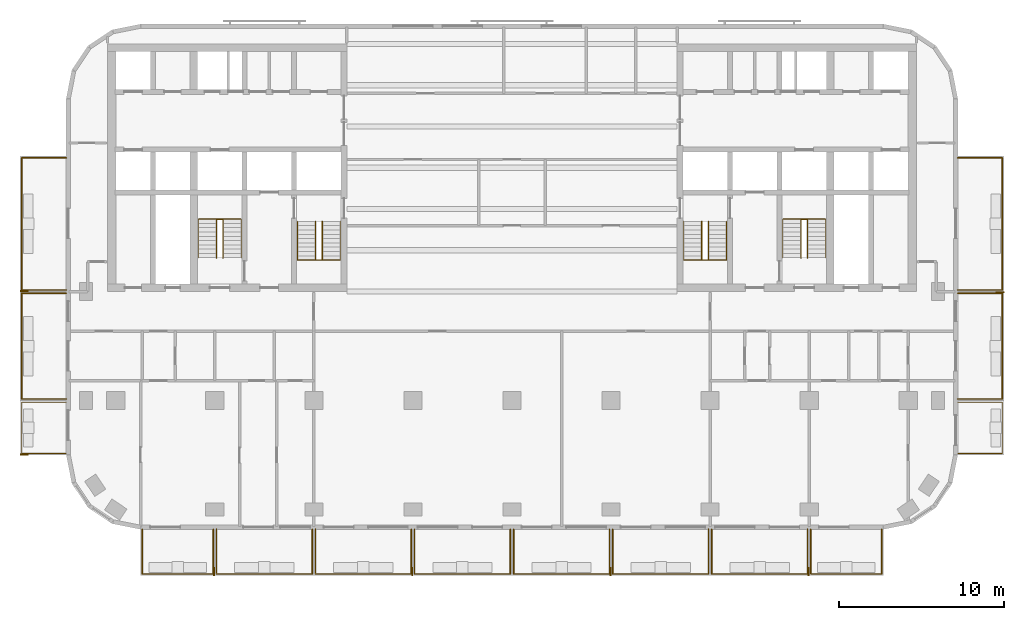
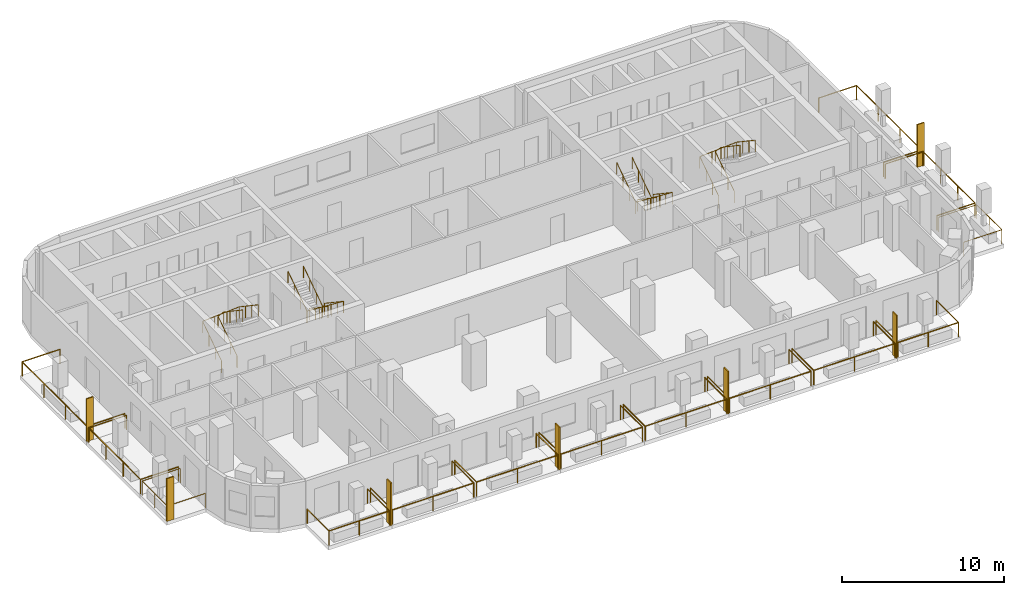
# One storey, part 9 of 11: 22 railings, 7 shading devices.
"""IFC4 building model written with IfcOpenShell, lengths in metres."""

import ifcopenshell
import ifcopenshell.guid

model = None  # the IFC model being written
_history = None  # IfcOwnerHistory: only IFC2X3 demands one
_inside = {}  # id of a spatial element -> (the spatial element, [elements in it])
_under = {}  # id of a project, library or spatial element -> (it, [spatial elements below it])
_declared = {}  # id of a project -> (the project, [libraries it declares])
_typed = {}  # id of a type object -> (the type object, [elements of that type])
_made_of = {}  # id of a material, layer set ... -> (it, [elements and type objects made of it])


def new_model(schema):
    """Start an empty IFC model of exactly this schema.

    Asked for "IFC4X3", IfcOpenShell would pick the latest addendum, in which some entities
    have other attributes; the version numbers below select the first issue.
    IFC2X3 requires an IfcOwnerHistory on every rooted entity: one is made here for all.
    """
    global model, _history
    if schema == "IFC4X3":
        model = ifcopenshell.file(schema_version=(4, 3, 0, 0))
    else:
        model = ifcopenshell.file(schema=schema)
    _inside.clear()
    _under.clear()
    _declared.clear()
    _typed.clear()
    _made_of.clear()
    _history = None
    if model.schema == "IFC2X3":
        org = make("IfcOrganization", Name="unknown")
        user = make(
            "IfcPersonAndOrganization",
            ThePerson=make("IfcPerson", FamilyName="unknown"),
            TheOrganization=org,
        )
        app = make(
            "IfcApplication",
            ApplicationDeveloper=org,
            Version="unknown",
            ApplicationFullName="unknown",
            ApplicationIdentifier="unknown",
        )
        _history = make(
            "IfcOwnerHistory",
            OwningUser=user,
            OwningApplication=app,
            ChangeAction="ADDED",
            CreationDate=0,
        )
    return model


def make(cls, **values):
    """One entity of the class cls with the attributes given. An attribute that is None is left unset."""
    return model.create_entity(
        cls, **{name: value for name, value in values.items() if value is not None}
    )


def rooted(cls, **values):
    """An entity with a GlobalId (a new one), such as an element, a storey or a relation."""
    return make(cls, GlobalId=ifcopenshell.guid.new(), OwnerHistory=_history, **values)


def si_unit(unit_type, name, prefix=None):
    """IfcSIUnit, for example si_unit("LENGTHUNIT", "METRE", prefix="MILLI")."""
    return make("IfcSIUnit", UnitType=unit_type, Prefix=prefix, Name=name)


def assignment(units):
    """IfcUnitAssignment: the units of a project."""
    return None if units is None else make("IfcUnitAssignment", Units=units)


def point(xyz):
    """IfcCartesianPoint."""
    return None if xyz is None else make("IfcCartesianPoint", Coordinates=xyz)


def direction(xyz):
    """IfcDirection."""
    return None if xyz is None else make("IfcDirection", DirectionRatios=xyz)


def frame(location, z_axis=None, x_axis=None):
    """IfcAxis2Placement3D, a coordinate frame: its origin and axes. An axis left out is left unset."""
    return make(
        "IfcAxis2Placement3D",
        Location=point(location),
        Axis=direction(z_axis),
        RefDirection=direction(x_axis),
    )


def frame_2d(location, x_axis=None):
    """IfcAxis2Placement2D, a coordinate frame in the plane: its origin and x axis."""
    return make(
        "IfcAxis2Placement2D", Location=point(location), RefDirection=direction(x_axis)
    )


def origin():
    """The frame at (0, 0, 0) with its axes left unset."""
    return frame((0.0, 0.0, 0.0))


def origin_2d():
    """The frame at (0, 0) in the plane with its x axis left unset."""
    return frame_2d((0.0, 0.0))


def place(relative_to, where):
    """IfcLocalPlacement: puts the frame where relative to a parent placement (None: the world)."""
    return make(
        "IfcLocalPlacement", PlacementRelTo=relative_to, RelativePlacement=where
    )


def context(
    kind, dimensions, precision=None, world=None, true_north=None, identifier=None
):
    """IfcGeometricRepresentationContext, for example the 3D "Model" context."""
    return make(
        "IfcGeometricRepresentationContext",
        ContextIdentifier=identifier,
        ContextType=kind,
        CoordinateSpaceDimension=dimensions,
        Precision=precision,
        WorldCoordinateSystem=world,
        TrueNorth=true_north,
    )


def subcontext(parent, identifier, kind, view, scale=None):
    """IfcGeometricRepresentationSubContext, for example "Body" below "Model"."""
    return make(
        "IfcGeometricRepresentationSubContext",
        ContextIdentifier=identifier,
        ContextType=kind,
        ParentContext=parent,
        TargetScale=scale,
        TargetView=view,
    )


def project(units=None, contexts=None):
    """IfcProject with its units and contexts."""
    return rooted(
        "IfcProject",
        Name="project",
        RepresentationContexts=contexts,
        UnitsInContext=assignment(units),
    )


def spatial(cls, under=None, at=None, **own):
    """A site, building, storey or space (cls), placed at a placement, below another one or the project."""
    s = rooted(cls, ObjectPlacement=at, **own)
    if under is not None:
        _under.setdefault(under.id(), (under, []))[1].append(s)
    return s


def profile(cls, at=None, kind="AREA", **sizes):
    """A parametric profile (cls). Its sizes go by their IFC names, for example OverallWidth=200.0."""
    return make(cls, ProfileType=kind, Position=at, **sizes)


def rectangle(**sizes):
    """IfcRectangleProfileDef."""
    return profile("IfcRectangleProfileDef", **sizes)


def circle(**sizes):
    """IfcCircleProfileDef."""
    return profile("IfcCircleProfileDef", **sizes)


def extrude(swept, where, along, depth):
    """IfcExtrudedAreaSolid: the profile swept, set in the frame where, extruded along a direction by depth."""
    return make(
        "IfcExtrudedAreaSolid",
        SweptArea=swept,
        Position=where,
        ExtrudedDirection=direction(along),
        Depth=depth,
    )


def shape(context_of_items, identifier, shape_type, items):
    """IfcShapeRepresentation: the items that make up one representation, for example the "Body"."""
    return make(
        "IfcShapeRepresentation",
        ContextOfItems=context_of_items,
        RepresentationIdentifier=identifier,
        RepresentationType=shape_type,
        Items=items,
    )


def material(Name=None, Category=None):
    """IfcMaterial."""
    return make("IfcMaterial", Name=Name, Category=Category)


def layer(
    of_material, thickness, ventilated=None, Name=None, Category=None, Priority=None
):
    """IfcMaterialLayer: one layer of a wall or slab, of a material (None: an air gap)."""
    return make(
        "IfcMaterialLayer",
        Material=of_material,
        LayerThickness=thickness,
        IsVentilated=ventilated,
        Name=Name,
        Category=Category,
        Priority=Priority,
    )


def layer_set(layers, Name=None):
    """IfcMaterialLayerSet."""
    return make("IfcMaterialLayerSet", MaterialLayers=layers, LayerSetName=Name)


def made_of(thing, what):
    """Note that an element or type object is made of a material, layer set ...; save() writes the relation."""
    if what is not None:
        _made_of.setdefault(what.id(), (what, []))[1].append(thing)
    return thing


def type_object(cls, material=None, **own):
    """A type object (cls), such as IfcWallType, which elements share."""
    return made_of(rooted(cls, **own), material)


def element(
    cls,
    number,
    at=None,
    inside=None,
    cuts=None,
    type_object=None,
    material=None,
    context=None,
    identifier="Body",
    shape_type=None,
    held_by="IfcProductDefinitionShape",
    body=None,
    shapes=None,
    **own,
):
    """One element of the class cls, such as IfcWall. Its Tag is "e" and its number.

    at: its placement. inside: the storey or other place that contains it. cuts: it is an
    opening in that element (IfcRelVoidsElement). A single representation is given by context,
    identifier, shape_type and body (its items); several are given by shapes. held_by: the class
    of the entity that holds the representations. save() writes the other relations.
    """
    e = rooted(cls, Tag="e%d" % number, ObjectPlacement=at, **own)
    if body is not None:
        shapes = [shape(context, identifier, shape_type, body)]
    if shapes is not None:
        e.Representation = make(held_by, Representations=shapes)
    if inside is not None:
        _inside.setdefault(inside.id(), (inside, []))[1].append(e)
    if cuts is not None:
        rooted(
            "IfcRelVoidsElement", RelatingBuildingElement=cuts, RelatedOpeningElement=e
        )
    if type_object is not None:
        _typed.setdefault(type_object.id(), (type_object, []))[1].append(e)
    return made_of(e, material)


def aggregate(whole, parts):
    """IfcRelAggregates: a whole, such as a stair, and the parts it consists of."""
    return rooted("IfcRelAggregates", RelatingObject=whole, RelatedObjects=parts)


def save(model, path):
    """Write the relations noted so far, then the file.

    IfcRelAggregates (storeys below a building ...), IfcRelContainedInSpatialStructure (elements
    in a storey), IfcRelDefinesByType, IfcRelAssociatesMaterial and IfcRelDeclares: one each for
    every whole, place, type object, material and project.
    """
    for whole, parts in _under.values():
        aggregate(whole, parts)
    for where, things in _inside.values():
        rooted(
            "IfcRelContainedInSpatialStructure",
            RelatedElements=things,
            RelatingStructure=where,
        )
    for kind, things in _typed.values():
        rooted("IfcRelDefinesByType", RelatedObjects=things, RelatingType=kind)
    for what, things in _made_of.values():
        rooted("IfcRelAssociatesMaterial", RelatedObjects=things, RelatingMaterial=what)
    for by, libraries in _declared.values():
        rooted("IfcRelDeclares", RelatingContext=by, RelatedDefinitions=libraries)
    model.write(path)


model = new_model("IFC4")

# Units and contexts
model_context = context("Model", 3, precision=1e-05, world=origin(), true_north=direction((0.0, 1.0)))
body_context = subcontext(model_context, "Body", "Model", "MODEL_VIEW")
ifc_project = project(units=[si_unit("LENGTHUNIT", "METRE"), si_unit("AREAUNIT", "SQUARE_METRE"), si_unit("VOLUMEUNIT", "CUBIC_METRE"), si_unit("PLANEANGLEUNIT", "RADIAN"), si_unit("MASSUNIT", "GRAM", prefix="KILO")], contexts=[model_context])

# Site, building, storey
site_placement = place(None, origin())
site = spatial("IfcSite", under=ifc_project, at=site_placement, CompositionType="ELEMENT")
building_placement = place(site_placement, origin())
building = spatial("IfcBuilding", under=site, at=building_placement, Name="Torana Hotel and Residences", CompositionType="ELEMENT")
storey_placement = place(building_placement, frame((0.0, 0.0, 208.10009765625)))
storey = spatial("IfcBuildingStorey", under=building, at=storey_placement, Name="L54", CompositionType="ELEMENT", Elevation=208.10009765625)

# Shading devices
ifc_material_1 = material(Name="Black powder coated aluminium", Category="aluminium")
ifc_layer = layer(ifc_material_1, 0.080078125)
ifc_layer_set = layer_set([ifc_layer], Name="FN1 VERTICAL FIN 500x80")
shading_device_type = type_object("IfcShadingDeviceType", Name="FN1 VERTICAL FIN 500x80", PredefinedType="USERDEFINED", material=ifc_layer_set)
for number, where, z_axis, x_axis, name in (
    (1, (-18.0400390625, -31.949951171875, 0.0), (0.0, 0.0, 1.0), (-1.0, 0.0, 0.0), "Fin 01"),
    (2, (-6.0400390625, -31.949951171875, 0.0), (0.0, 0.0, 1.0), (-1.0, 0.0, 0.0), "Fin 03"),
    (3, (5.9599609375, -31.949951171875, 0.0), (0.0, 0.0, 1.0), (-1.0, 0.0, 0.0), "Fin 05"),
    (4, (17.9599609375, -31.949951171875, 0.0), (0.0, 0.0, 1.0), (-1.0, 0.0, 0.0), "Fin 07"),
    (5, (-29.550048828125, -24.860107421875, 0.0), (0.0, 0.0, 1.0), (0.0, 1.0, 0.0), "Fin 09"),
    (6, (-29.550048828125, -14.9599609375, 0.0), (0.0, 0.0, 1.0), (0.0, 1.0, 0.0), "Fin 11"),
    (7, (29.550048828125, -15.0400390625, 0.0), (0.0, 0.0, 1.0), (0.0, -1.0, 0.0), "Fin 13"),
):
    element("IfcShadingDevice", number, at=place(storey_placement, frame(where, z_axis=z_axis, x_axis=x_axis)), inside=storey, type_object=shading_device_type, Name=name, ObjectType="FIN", PredefinedType="USERDEFINED", context=body_context, shape_type="SweptSolid", body=[
        extrude(rectangle(XDim=0.080078125, YDim=0.5, at=origin_2d()), origin(), (0.0, 0.0, 1.0), 3.219970703125),
    ])

# Railings
ifc_material_2 = material(Name="Laminated glass balustrade with black handrail", Category="glass")
railing_type_1 = type_object("IfcRailingType", Name="GR1 BALCONY GUARD 1100 GLASS", PredefinedType="GUARDRAIL", material=ifc_material_2)
railing_1_placement = place(storey_placement, frame((-18.10009765625, -29.39990234375, 0.0)))
element("IfcRailing", 8, at=railing_1_placement, inside=storey, type_object=railing_type_1, Name="Balcony guard 01", PredefinedType="GUARDRAIL", context=body_context, shape_type="SweptSolid", body=[
    extrude(circle(Radius=0.02392578125, at=origin_2d()), frame((0.0, 0.0, 1.076171875), z_axis=(0.0, -1.0, 0.0), x_axis=(1.0, 0.0, 0.0)), (0.0, 0.0, 1.0), 2.7001953125),
    extrude(circle(Radius=0.02392578125, at=origin_2d()), frame((0.0, -2.7001953125, 1.076171875), z_axis=(-1.0, 0.0, 0.0), x_axis=(0.0, -1.0, 0.0)), (0.0, 0.0, 1.0), 4.2998046875),
    extrude(circle(Radius=0.02392578125, at=origin_2d()), frame((-4.2998046875, -2.7001953125, 1.076171875), z_axis=(0.0, 1.0, 0.0), x_axis=(-1.0, 0.0, 0.0)), (0.0, 0.0, 1.0), 2.7001953125),
    extrude(circle(Radius=0.02099609375, at=origin_2d()), origin(), (0.0, 0.0, 1.0), 1.052001953125),
    extrude(circle(Radius=0.02099609375, at=origin_2d()), frame((0.0, -2.7001953125, 0.0)), (0.0, 0.0, 1.0), 1.052001953125),
    extrude(circle(Radius=0.02099609375, at=origin_2d()), frame((-2.14990234375, -2.7001953125, 0.0)), (0.0, 0.0, 1.0), 1.052001953125),
    extrude(circle(Radius=0.02099609375, at=origin_2d()), frame((-4.2998046875, -2.7001953125, 0.0)), (0.0, 0.0, 1.0), 1.052001953125),
    extrude(circle(Radius=0.02099609375, at=origin_2d()), frame((-4.2998046875, 0.0, 0.0)), (0.0, 0.0, 1.0), 1.052001953125),
])
for number, where, name in (
    (9, (-12.10009765625, -29.39990234375, 0.0), "Balcony guard 02"),
    (10, (-6.10009765625, -29.39990234375, 0.0), "Balcony guard 03"),
    (11, (-0.10009765625, -29.39990234375, 0.0), "Balcony guard 04"),
    (12, (5.89990234375, -29.39990234375, 0.0), "Balcony guard 05"),
    (13, (11.89990234375, -29.39990234375, 0.0), "Balcony guard 06"),
    (14, (17.89990234375, -29.39990234375, 0.0), "Balcony guard 07"),
):
    element("IfcRailing", number, at=place(storey_placement, frame(where)), inside=storey, type_object=railing_type_1, Name=name, PredefinedType="GUARDRAIL", context=body_context, shape_type="SweptSolid", body=[
        extrude(circle(Radius=0.02392578125, at=origin_2d()), frame((0.0, 0.0, 1.076171875), z_axis=(0.0, -1.0, 0.0), x_axis=(1.0, 0.0, 0.0)), (0.0, 0.0, 1.0), 2.7001953125),
        extrude(circle(Radius=0.02392578125, at=origin_2d()), frame((0.0, -2.7001953125, 1.076171875), z_axis=(-1.0, 0.0, 0.0), x_axis=(0.0, -1.0, 0.0)), (0.0, 0.0, 1.0), 5.7998046875),
        extrude(circle(Radius=0.02392578125, at=origin_2d()), frame((-5.7998046875, -2.7001953125, 1.076171875), z_axis=(0.0, 1.0, 0.0), x_axis=(-1.0, 0.0, 0.0)), (0.0, 0.0, 1.0), 2.7001953125),
        extrude(circle(Radius=0.02099609375, at=origin_2d()), origin(), (0.0, 0.0, 1.0), 1.052001953125),
        extrude(circle(Radius=0.02099609375, at=origin_2d()), frame((0.0, -2.7001953125, 0.0)), (0.0, 0.0, 1.0), 1.052001953125),
        extrude(circle(Radius=0.02099609375, at=origin_2d()), frame((-2.89990234375, -2.7001953125, 0.0)), (0.0, 0.0, 1.0), 1.052001953125),
        extrude(circle(Radius=0.02099609375, at=origin_2d()), frame((-5.7998046875, -2.7001953125, 0.0)), (0.0, 0.0, 1.0), 1.052001953125),
        extrude(circle(Radius=0.02099609375, at=origin_2d()), frame((-5.7998046875, 0.0, 0.0)), (0.0, 0.0, 1.0), 1.052001953125),
    ])
railing_2_placement = place(storey_placement, frame((22.39990234375, -29.39990234375, 0.0)))
element("IfcRailing", 15, at=railing_2_placement, inside=storey, type_object=railing_type_1, Name="Balcony guard 08", PredefinedType="GUARDRAIL", context=body_context, shape_type="SweptSolid", body=[
    extrude(circle(Radius=0.02392578125, at=origin_2d()), frame((0.0, 0.0, 1.076171875), z_axis=(0.0, -1.0, 0.0), x_axis=(1.0, 0.0, 0.0)), (0.0, 0.0, 1.0), 2.7001953125),
    extrude(circle(Radius=0.02392578125, at=origin_2d()), frame((0.0, -2.7001953125, 1.076171875), z_axis=(-1.0, 0.0, 0.0), x_axis=(0.0, -1.0, 0.0)), (0.0, 0.0, 1.0), 4.2998046875),
    extrude(circle(Radius=0.02392578125, at=origin_2d()), frame((-4.2998046875, -2.7001953125, 1.076171875), z_axis=(0.0, 1.0, 0.0), x_axis=(-1.0, 0.0, 0.0)), (0.0, 0.0, 1.0), 2.7001953125),
    extrude(circle(Radius=0.02099609375, at=origin_2d()), origin(), (0.0, 0.0, 1.0), 1.052001953125),
    extrude(circle(Radius=0.02099609375, at=origin_2d()), frame((0.0, -2.7001953125, 0.0)), (0.0, 0.0, 1.0), 1.052001953125),
    extrude(circle(Radius=0.02099609375, at=origin_2d()), frame((-2.14990234375, -2.7001953125, 0.0)), (0.0, 0.0, 1.0), 1.052001953125),
    extrude(circle(Radius=0.02099609375, at=origin_2d()), frame((-4.2998046875, -2.7001953125, 0.0)), (0.0, 0.0, 1.0), 1.052001953125),
    extrude(circle(Radius=0.02099609375, at=origin_2d()), frame((-4.2998046875, 0.0, 0.0)), (0.0, 0.0, 1.0), 1.052001953125),
])
railing_3_placement = place(storey_placement, frame((-27.0, -24.800048828125, 0.0)))
element("IfcRailing", 16, at=railing_3_placement, inside=storey, type_object=railing_type_1, Name="Balcony guard 09", PredefinedType="GUARDRAIL", context=body_context, shape_type="SweptSolid", body=[
    extrude(circle(Radius=0.02392578125, at=origin_2d()), frame((0.0, 0.0, 1.076171875), z_axis=(-1.0, 0.0, 0.0), x_axis=(0.0, -1.0, 0.0)), (0.0, 0.0, 1.0), 2.699951171875),
    extrude(circle(Radius=0.02392578125, at=origin_2d()), frame((-2.699951171875, 0.0, 1.076171875), z_axis=(0.0, 1.0, 0.0), x_axis=(-1.0, 0.0, 0.0)), (0.0, 0.0, 1.0), 3.10009765625),
    extrude(circle(Radius=0.02392578125, at=origin_2d()), frame((-2.699951171875, 3.10009765625, 1.076171875), z_axis=(1.0, 0.0, 0.0), x_axis=(0.0, 1.0, 0.0)), (0.0, 0.0, 1.0), 2.699951171875),
    extrude(circle(Radius=0.02099609375, at=origin_2d()), origin(), (0.0, 0.0, 1.0), 1.052001953125),
    extrude(circle(Radius=0.02099609375, at=origin_2d()), frame((-2.699951171875, 0.0, 0.0)), (0.0, 0.0, 1.0), 1.052001953125),
    extrude(circle(Radius=0.02099609375, at=origin_2d()), frame((-2.699951171875, 1.550048828125, 0.0)), (0.0, 0.0, 1.0), 1.052001953125),
    extrude(circle(Radius=0.02099609375, at=origin_2d()), frame((-2.699951171875, 3.10009765625, 0.0)), (0.0, 0.0, 1.0), 1.052001953125),
    extrude(circle(Radius=0.02099609375, at=origin_2d()), frame((0.0, 3.10009765625, 0.0)), (0.0, 0.0, 1.0), 1.052001953125),
])
railing_4_placement = place(storey_placement, frame((-27.0, -21.5, 0.0)))
element("IfcRailing", 17, at=railing_4_placement, inside=storey, type_object=railing_type_1, Name="Balcony guard 10", PredefinedType="GUARDRAIL", context=body_context, shape_type="SweptSolid", body=[
    extrude(circle(Radius=0.02392578125, at=origin_2d()), frame((0.0, 0.0, 1.076171875), z_axis=(-1.0, 0.0, 0.0), x_axis=(0.0, -1.0, 0.0)), (0.0, 0.0, 1.0), 2.699951171875),
    extrude(circle(Radius=0.02392578125, at=origin_2d()), frame((-2.699951171875, 0.0, 1.076171875), z_axis=(0.0, 1.0, 0.0), x_axis=(-1.0, 0.0, 0.0)), (0.0, 0.0, 1.0), 6.39990234375),
    extrude(circle(Radius=0.02392578125, at=origin_2d()), frame((-2.699951171875, 6.39990234375, 1.076171875), z_axis=(1.0, 0.0, 0.0), x_axis=(0.0, 1.0, 0.0)), (0.0, 0.0, 1.0), 2.699951171875),
    extrude(circle(Radius=0.02099609375, at=origin_2d()), origin(), (0.0, 0.0, 1.0), 1.052001953125),
    extrude(circle(Radius=0.02099609375, at=origin_2d()), frame((-2.699951171875, 0.0, 0.0)), (0.0, 0.0, 1.0), 1.052001953125),
    extrude(circle(Radius=0.02099609375, at=origin_2d()), frame((-2.699951171875, 2.13330078125, 0.0)), (0.0, 0.0, 1.0), 1.052001953125),
    extrude(circle(Radius=0.02099609375, at=origin_2d()), frame((-2.699951171875, 4.2666015625, 0.0)), (0.0, 0.0, 1.0), 1.052001953125),
    extrude(circle(Radius=0.02099609375, at=origin_2d()), frame((-2.699951171875, 6.39990234375, 0.0)), (0.0, 0.0, 1.0), 1.052001953125),
    extrude(circle(Radius=0.02099609375, at=origin_2d()), frame((0.0, 6.39990234375, 0.0)), (0.0, 0.0, 1.0), 1.052001953125),
])
railing_5_placement = place(storey_placement, frame((-27.0, -14.89990234375, 0.0)))
element("IfcRailing", 18, at=railing_5_placement, inside=storey, type_object=railing_type_1, Name="Balcony guard 11", PredefinedType="GUARDRAIL", context=body_context, shape_type="SweptSolid", body=[
    extrude(circle(Radius=0.02392578125, at=origin_2d()), frame((0.0, 0.0, 1.076171875), z_axis=(-1.0, 0.0, 0.0), x_axis=(0.0, -1.0, 0.0)), (0.0, 0.0, 1.0), 2.699951171875),
    extrude(circle(Radius=0.02392578125, at=origin_2d()), frame((-2.699951171875, 0.0, 1.076171875), z_axis=(0.0, 1.0, 0.0), x_axis=(-1.0, 0.0, 0.0)), (0.0, 0.0, 1.0), 8.0),
    extrude(circle(Radius=0.02392578125, at=origin_2d()), frame((-2.699951171875, 8.0, 1.076171875), z_axis=(1.0, 0.0, 0.0), x_axis=(0.0, 1.0, 0.0)), (0.0, 0.0, 1.0), 2.699951171875),
    extrude(circle(Radius=0.02099609375, at=origin_2d()), origin(), (0.0, 0.0, 1.0), 1.052001953125),
    extrude(circle(Radius=0.02099609375, at=origin_2d()), frame((-2.699951171875, 0.0, 0.0)), (0.0, 0.0, 1.0), 1.052001953125),
    extrude(circle(Radius=0.02099609375, at=origin_2d()), frame((-2.699951171875, 2.666748046875, 0.0)), (0.0, 0.0, 1.0), 1.052001953125),
    extrude(circle(Radius=0.02099609375, at=origin_2d()), frame((-2.699951171875, 5.333251953125, 0.0)), (0.0, 0.0, 1.0), 1.052001953125),
    extrude(circle(Radius=0.02099609375, at=origin_2d()), frame((-2.699951171875, 8.0, 0.0)), (0.0, 0.0, 1.0), 1.052001953125),
    extrude(circle(Radius=0.02099609375, at=origin_2d()), frame((0.0, 8.0, 0.0)), (0.0, 0.0, 1.0), 1.052001953125),
])
railing_6_placement = place(storey_placement, frame((27.0, -21.699951171875, 0.0)))
element("IfcRailing", 19, at=railing_6_placement, inside=storey, type_object=railing_type_1, Name="Balcony guard 12", PredefinedType="GUARDRAIL", context=body_context, shape_type="SweptSolid", body=[
    extrude(circle(Radius=0.02392578125, at=origin_2d()), frame((0.0, 0.0, 1.076171875), z_axis=(1.0, 0.0, 0.0), x_axis=(0.0, 1.0, 0.0)), (0.0, 0.0, 1.0), 2.699951171875),
    extrude(circle(Radius=0.02392578125, at=origin_2d()), frame((2.699951171875, 0.0, 1.076171875), z_axis=(0.0, -1.0, 0.0), x_axis=(1.0, 0.0, 0.0)), (0.0, 0.0, 1.0), 3.10009765625),
    extrude(circle(Radius=0.02392578125, at=origin_2d()), frame((2.699951171875, -3.10009765625, 1.076171875), z_axis=(-1.0, 0.0, 0.0), x_axis=(0.0, -1.0, 0.0)), (0.0, 0.0, 1.0), 2.699951171875),
    extrude(circle(Radius=0.02099609375, at=origin_2d()), origin(), (0.0, 0.0, 1.0), 1.052001953125),
    extrude(circle(Radius=0.02099609375, at=origin_2d()), frame((2.699951171875, 0.0, 0.0)), (0.0, 0.0, 1.0), 1.052001953125),
    extrude(circle(Radius=0.02099609375, at=origin_2d()), frame((2.699951171875, -1.550048828125, 0.0)), (0.0, 0.0, 1.0), 1.052001953125),
    extrude(circle(Radius=0.02099609375, at=origin_2d()), frame((2.699951171875, -3.10009765625, 0.0)), (0.0, 0.0, 1.0), 1.052001953125),
    extrude(circle(Radius=0.02099609375, at=origin_2d()), frame((0.0, -3.10009765625, 0.0)), (0.0, 0.0, 1.0), 1.052001953125),
])
railing_7_placement = place(storey_placement, frame((27.0, -15.10009765625, 0.0)))
element("IfcRailing", 20, at=railing_7_placement, inside=storey, type_object=railing_type_1, Name="Balcony guard 13", PredefinedType="GUARDRAIL", context=body_context, shape_type="SweptSolid", body=[
    extrude(circle(Radius=0.02392578125, at=origin_2d()), frame((0.0, 0.0, 1.076171875), z_axis=(1.0, 0.0, 0.0), x_axis=(0.0, 1.0, 0.0)), (0.0, 0.0, 1.0), 2.699951171875),
    extrude(circle(Radius=0.02392578125, at=origin_2d()), frame((2.699951171875, 0.0, 1.076171875), z_axis=(0.0, -1.0, 0.0), x_axis=(1.0, 0.0, 0.0)), (0.0, 0.0, 1.0), 6.39990234375),
    extrude(circle(Radius=0.02392578125, at=origin_2d()), frame((2.699951171875, -6.39990234375, 1.076171875), z_axis=(-1.0, 0.0, 0.0), x_axis=(0.0, -1.0, 0.0)), (0.0, 0.0, 1.0), 2.699951171875),
    extrude(circle(Radius=0.02099609375, at=origin_2d()), origin(), (0.0, 0.0, 1.0), 1.052001953125),
    extrude(circle(Radius=0.02099609375, at=origin_2d()), frame((2.699951171875, 0.0, 0.0)), (0.0, 0.0, 1.0), 1.052001953125),
    extrude(circle(Radius=0.02099609375, at=origin_2d()), frame((2.699951171875, -2.13330078125, 0.0)), (0.0, 0.0, 1.0), 1.052001953125),
    extrude(circle(Radius=0.02099609375, at=origin_2d()), frame((2.699951171875, -4.2666015625, 0.0)), (0.0, 0.0, 1.0), 1.052001953125),
    extrude(circle(Radius=0.02099609375, at=origin_2d()), frame((2.699951171875, -6.39990234375, 0.0)), (0.0, 0.0, 1.0), 1.052001953125),
    extrude(circle(Radius=0.02099609375, at=origin_2d()), frame((0.0, -6.39990234375, 0.0)), (0.0, 0.0, 1.0), 1.052001953125),
])
railing_8_placement = place(storey_placement, frame((27.0, -6.89990234375, 0.0)))
element("IfcRailing", 21, at=railing_8_placement, inside=storey, type_object=railing_type_1, Name="Balcony guard 14", PredefinedType="GUARDRAIL", context=body_context, shape_type="SweptSolid", body=[
    extrude(circle(Radius=0.02392578125, at=origin_2d()), frame((0.0, 0.0, 1.076171875), z_axis=(1.0, 0.0, 0.0), x_axis=(0.0, 1.0, 0.0)), (0.0, 0.0, 1.0), 2.699951171875),
    extrude(circle(Radius=0.02392578125, at=origin_2d()), frame((2.699951171875, 0.0, 1.076171875), z_axis=(0.0, -1.0, 0.0), x_axis=(1.0, 0.0, 0.0)), (0.0, 0.0, 1.0), 8.0),
    extrude(circle(Radius=0.02392578125, at=origin_2d()), frame((2.699951171875, -8.0, 1.076171875), z_axis=(-1.0, 0.0, 0.0), x_axis=(0.0, -1.0, 0.0)), (0.0, 0.0, 1.0), 2.699951171875),
    extrude(circle(Radius=0.02099609375, at=origin_2d()), origin(), (0.0, 0.0, 1.0), 1.052001953125),
    extrude(circle(Radius=0.02099609375, at=origin_2d()), frame((2.699951171875, 0.0, 0.0)), (0.0, 0.0, 1.0), 1.052001953125),
    extrude(circle(Radius=0.02099609375, at=origin_2d()), frame((2.699951171875, -2.666748046875, 0.0)), (0.0, 0.0, 1.0), 1.052001953125),
    extrude(circle(Radius=0.02099609375, at=origin_2d()), frame((2.699951171875, -5.333251953125, 0.0)), (0.0, 0.0, 1.0), 1.052001953125),
    extrude(circle(Radius=0.02099609375, at=origin_2d()), frame((2.699951171875, -8.0, 0.0)), (0.0, 0.0, 1.0), 1.052001953125),
    extrude(circle(Radius=0.02099609375, at=origin_2d()), frame((0.0, -8.0, 0.0)), (0.0, 0.0, 1.0), 1.052001953125),
])
ifc_material_3 = material(Name="Stainless steel 316", Category="steel")
railing_type_2 = type_object("IfcRailingType", Name="STAIR HANDRAIL HR1 900", PredefinedType="HANDRAIL", material=ifc_material_3)
railing_9_placement = place(storey_placement, frame((-10.39990234375, -10.75, 0.1748046875)))
element("IfcRailing", 22, at=railing_9_placement, inside=storey, type_object=railing_type_2, Name="Handrail ST1 L54 O1", PredefinedType="HANDRAIL", context=body_context, shape_type="SweptSolid", body=[
    extrude(circle(Radius=0.02392578125, at=origin_2d()), frame((0.0, 0.0, 0.8759765625), z_axis=(0.0, -0.829565388462, 0.558409586474), x_axis=(1.0, 0.0, 0.0)), (0.0, 0.0, 1.0), 2.82080078125),
    extrude(circle(Radius=0.02392578125, at=origin_2d()), frame((0.0, -2.340087890625, 2.451171875), z_axis=(-0.997747692642, 0.0, 0.067078624219), x_axis=(0.0, -1.0, 0.0)), (0.0, 0.0, 1.0), 2.60595703125),
    extrude(circle(Radius=0.02392578125, at=origin_2d()), frame((-2.60009765625, -2.340087890625, 2.6259765625), z_axis=(0.0, 0.829565388462, 0.558409586474), x_axis=(-1.0, 0.0, 0.0)), (0.0, 0.0, 1.0), 2.82080078125),
    extrude(circle(Radius=0.02099609375, at=origin_2d()), origin(), (0.0, 0.0, 1.0), 0.851806640625),
    extrude(circle(Radius=0.02099609375, at=origin_2d()), frame((0.0, -0.780029296875, 0.525146484375)), (0.0, 0.0, 1.0), 0.851806640625),
    extrude(circle(Radius=0.02099609375, at=origin_2d()), frame((0.0, -1.56005859375, 1.050048828125)), (0.0, 0.0, 1.0), 0.851806640625),
    extrude(circle(Radius=0.02099609375, at=origin_2d()), frame((0.0, -2.340087890625, 1.5751953125)), (0.0, 0.0, 1.0), 0.851806640625),
    extrude(circle(Radius=0.02099609375, at=origin_2d()), frame((-0.86669921875, -2.340087890625, 1.633544921875)), (0.0, 0.0, 1.0), 0.851806640625),
    extrude(circle(Radius=0.02099609375, at=origin_2d()), frame((-1.7333984375, -2.340087890625, 1.691650390625)), (0.0, 0.0, 1.0), 0.851806640625),
    extrude(circle(Radius=0.02099609375, at=origin_2d()), frame((-2.60009765625, -2.340087890625, 1.75)), (0.0, 0.0, 1.0), 0.851806640625),
    extrude(circle(Radius=0.02099609375, at=origin_2d()), frame((-2.60009765625, -1.56005859375, 2.275146484375)), (0.0, 0.0, 1.0), 0.851806640625),
    extrude(circle(Radius=0.02099609375, at=origin_2d()), frame((-2.60009765625, -0.780029296875, 2.800048828125)), (0.0, 0.0, 1.0), 0.851806640625),
    extrude(circle(Radius=0.02099609375, at=origin_2d()), frame((-2.60009765625, 0.0, 3.3251953125)), (0.0, 0.0, 1.0), 0.851806640625),
])
railing_10_placement = place(storey_placement, frame((-11.5, -10.75, 0.1748046875)))
element("IfcRailing", 23, at=railing_10_placement, inside=storey, type_object=railing_type_2, Name="Handrail ST1 L54 I1", PredefinedType="HANDRAIL", context=body_context, shape_type="SweptSolid", body=[
    extrude(circle(Radius=0.02392578125, at=origin_2d()), frame((0.0, 0.0, 0.8759765625), z_axis=(0.0, -0.829565388462, 0.558409586474), x_axis=(1.0, 0.0, 0.0)), (0.0, 0.0, 1.0), 2.82080078125),
    extrude(circle(Radius=0.02392578125, at=origin_2d()), frame((0.0, -2.340087890625, 2.451171875), z_axis=(-0.916285673175, 0.0, 0.400525361412), x_axis=(0.0, -1.0, 0.0)), (0.0, 0.0, 1.0), 0.4365234375),
    extrude(circle(Radius=0.02392578125, at=origin_2d()), frame((-0.39990234375, -2.340087890625, 2.6259765625), z_axis=(0.0, 0.829565388462, 0.558409586474), x_axis=(-1.0, 0.0, 0.0)), (0.0, 0.0, 1.0), 2.82080078125),
    extrude(circle(Radius=0.02099609375, at=origin_2d()), origin(), (0.0, 0.0, 1.0), 0.851806640625),
    extrude(circle(Radius=0.02099609375, at=origin_2d()), frame((0.0, -0.780029296875, 0.525146484375)), (0.0, 0.0, 1.0), 0.851806640625),
    extrude(circle(Radius=0.02099609375, at=origin_2d()), frame((0.0, -1.56005859375, 1.050048828125)), (0.0, 0.0, 1.0), 0.851806640625),
    extrude(circle(Radius=0.02099609375, at=origin_2d()), frame((0.0, -2.340087890625, 1.5751953125)), (0.0, 0.0, 1.0), 0.851806640625),
    extrude(circle(Radius=0.02099609375, at=origin_2d()), frame((-0.39990234375, -2.340087890625, 1.75)), (0.0, 0.0, 1.0), 0.851806640625),
    extrude(circle(Radius=0.02099609375, at=origin_2d()), frame((-0.39990234375, -1.56005859375, 2.275146484375)), (0.0, 0.0, 1.0), 0.851806640625),
    extrude(circle(Radius=0.02099609375, at=origin_2d()), frame((-0.39990234375, -0.780029296875, 2.800048828125)), (0.0, 0.0, 1.0), 0.851806640625),
    extrude(circle(Radius=0.02099609375, at=origin_2d()), frame((-0.39990234375, 0.0, 3.3251953125)), (0.0, 0.0, 1.0), 0.851806640625),
])
railing_11_placement = place(storey_placement, frame((-19.0, -12.949951171875, 0.1748046875)))
element("IfcRailing", 24, at=railing_11_placement, inside=storey, type_object=railing_type_2, Name="Handrail ST2 L54 O1", PredefinedType="HANDRAIL", context=body_context, shape_type="SweptSolid", body=[
    extrude(circle(Radius=0.02392578125, at=origin_2d()), frame((0.0, 0.0, 0.8759765625), z_axis=(0.0, 0.829538397957, 0.558449681095), x_axis=(-1.0, 0.0, 0.0)), (0.0, 0.0, 1.0), 2.820556640625),
    extrude(circle(Radius=0.02392578125, at=origin_2d()), frame((0.0, 2.33984375, 2.451171875), z_axis=(0.997747692642, 0.0, 0.067078624219), x_axis=(0.0, 1.0, 0.0)), (0.0, 0.0, 1.0), 2.60595703125),
    extrude(circle(Radius=0.02392578125, at=origin_2d()), frame((2.60009765625, 2.33984375, 2.6259765625), z_axis=(0.0, -0.829538397957, 0.558449681095), x_axis=(1.0, 0.0, 0.0)), (0.0, 0.0, 1.0), 2.820556640625),
    extrude(circle(Radius=0.02099609375, at=origin_2d()), origin(), (0.0, 0.0, 1.0), 0.851806640625),
    extrude(circle(Radius=0.02099609375, at=origin_2d()), frame((0.0, 0.780029296875, 0.525146484375)), (0.0, 0.0, 1.0), 0.851806640625),
    extrude(circle(Radius=0.02099609375, at=origin_2d()), frame((0.0, 1.559814453125, 1.050048828125)), (0.0, 0.0, 1.0), 0.851806640625),
    extrude(circle(Radius=0.02099609375, at=origin_2d()), frame((0.0, 2.33984375, 1.5751953125)), (0.0, 0.0, 1.0), 0.851806640625),
    extrude(circle(Radius=0.02099609375, at=origin_2d()), frame((0.86669921875, 2.33984375, 1.633544921875)), (0.0, 0.0, 1.0), 0.851806640625),
    extrude(circle(Radius=0.02099609375, at=origin_2d()), frame((1.7333984375, 2.33984375, 1.691650390625)), (0.0, 0.0, 1.0), 0.851806640625),
    extrude(circle(Radius=0.02099609375, at=origin_2d()), frame((2.60009765625, 2.33984375, 1.75)), (0.0, 0.0, 1.0), 0.851806640625),
    extrude(circle(Radius=0.02099609375, at=origin_2d()), frame((2.60009765625, 1.559814453125, 2.275146484375)), (0.0, 0.0, 1.0), 0.851806640625),
    extrude(circle(Radius=0.02099609375, at=origin_2d()), frame((2.60009765625, 0.780029296875, 2.800048828125)), (0.0, 0.0, 1.0), 0.851806640625),
    extrude(circle(Radius=0.02099609375, at=origin_2d()), frame((2.60009765625, 0.0, 3.3251953125)), (0.0, 0.0, 1.0), 0.851806640625),
])
railing_12_placement = place(storey_placement, frame((-17.89990234375, -12.949951171875, 0.1748046875)))
element("IfcRailing", 25, at=railing_12_placement, inside=storey, type_object=railing_type_2, Name="Handrail ST2 L54 I1", PredefinedType="HANDRAIL", context=body_context, shape_type="SweptSolid", body=[
    extrude(circle(Radius=0.02392578125, at=origin_2d()), frame((0.0, 0.0, 0.8759765625), z_axis=(0.0, 0.829538397957, 0.558449681095), x_axis=(-1.0, 0.0, 0.0)), (0.0, 0.0, 1.0), 2.820556640625),
    extrude(circle(Radius=0.02392578125, at=origin_2d()), frame((0.0, 2.33984375, 2.451171875), z_axis=(0.916285673175, 0.0, 0.400525361412), x_axis=(0.0, 1.0, 0.0)), (0.0, 0.0, 1.0), 0.4365234375),
    extrude(circle(Radius=0.02392578125, at=origin_2d()), frame((0.39990234375, 2.33984375, 2.6259765625), z_axis=(0.0, -0.829538397957, 0.558449681095), x_axis=(1.0, 0.0, 0.0)), (0.0, 0.0, 1.0), 2.820556640625),
    extrude(circle(Radius=0.02099609375, at=origin_2d()), origin(), (0.0, 0.0, 1.0), 0.851806640625),
    extrude(circle(Radius=0.02099609375, at=origin_2d()), frame((0.0, 0.780029296875, 0.525146484375)), (0.0, 0.0, 1.0), 0.851806640625),
    extrude(circle(Radius=0.02099609375, at=origin_2d()), frame((0.0, 1.559814453125, 1.050048828125)), (0.0, 0.0, 1.0), 0.851806640625),
    extrude(circle(Radius=0.02099609375, at=origin_2d()), frame((0.0, 2.33984375, 1.5751953125)), (0.0, 0.0, 1.0), 0.851806640625),
    extrude(circle(Radius=0.02099609375, at=origin_2d()), frame((0.39990234375, 2.33984375, 1.75)), (0.0, 0.0, 1.0), 0.851806640625),
    extrude(circle(Radius=0.02099609375, at=origin_2d()), frame((0.39990234375, 1.559814453125, 2.275146484375)), (0.0, 0.0, 1.0), 0.851806640625),
    extrude(circle(Radius=0.02099609375, at=origin_2d()), frame((0.39990234375, 0.780029296875, 2.800048828125)), (0.0, 0.0, 1.0), 0.851806640625),
    extrude(circle(Radius=0.02099609375, at=origin_2d()), frame((0.39990234375, 0.0, 3.3251953125)), (0.0, 0.0, 1.0), 0.851806640625),
])
railing_13_placement = place(storey_placement, frame((13.0, -10.75, 0.1748046875)))
element("IfcRailing", 26, at=railing_13_placement, inside=storey, type_object=railing_type_2, Name="Handrail ST3 L54 O1", PredefinedType="HANDRAIL", context=body_context, shape_type="SweptSolid", body=[
    extrude(circle(Radius=0.02392578125, at=origin_2d()), frame((0.0, 0.0, 0.8759765625), z_axis=(0.0, -0.829565388462, 0.558409586474), x_axis=(1.0, 0.0, 0.0)), (0.0, 0.0, 1.0), 2.82080078125),
    extrude(circle(Radius=0.02392578125, at=origin_2d()), frame((0.0, -2.340087890625, 2.451171875), z_axis=(-0.997747692642, 0.0, 0.067078624219), x_axis=(0.0, -1.0, 0.0)), (0.0, 0.0, 1.0), 2.60595703125),
    extrude(circle(Radius=0.02392578125, at=origin_2d()), frame((-2.60009765625, -2.340087890625, 2.6259765625), z_axis=(0.0, 0.829565388462, 0.558409586474), x_axis=(-1.0, 0.0, 0.0)), (0.0, 0.0, 1.0), 2.82080078125),
    extrude(circle(Radius=0.02099609375, at=origin_2d()), origin(), (0.0, 0.0, 1.0), 0.851806640625),
    extrude(circle(Radius=0.02099609375, at=origin_2d()), frame((0.0, -0.780029296875, 0.525146484375)), (0.0, 0.0, 1.0), 0.851806640625),
    extrude(circle(Radius=0.02099609375, at=origin_2d()), frame((0.0, -1.56005859375, 1.050048828125)), (0.0, 0.0, 1.0), 0.851806640625),
    extrude(circle(Radius=0.02099609375, at=origin_2d()), frame((0.0, -2.340087890625, 1.5751953125)), (0.0, 0.0, 1.0), 0.851806640625),
    extrude(circle(Radius=0.02099609375, at=origin_2d()), frame((-0.86669921875, -2.340087890625, 1.633544921875)), (0.0, 0.0, 1.0), 0.851806640625),
    extrude(circle(Radius=0.02099609375, at=origin_2d()), frame((-1.7333984375, -2.340087890625, 1.691650390625)), (0.0, 0.0, 1.0), 0.851806640625),
    extrude(circle(Radius=0.02099609375, at=origin_2d()), frame((-2.60009765625, -2.340087890625, 1.75)), (0.0, 0.0, 1.0), 0.851806640625),
    extrude(circle(Radius=0.02099609375, at=origin_2d()), frame((-2.60009765625, -1.56005859375, 2.275146484375)), (0.0, 0.0, 1.0), 0.851806640625),
    extrude(circle(Radius=0.02099609375, at=origin_2d()), frame((-2.60009765625, -0.780029296875, 2.800048828125)), (0.0, 0.0, 1.0), 0.851806640625),
    extrude(circle(Radius=0.02099609375, at=origin_2d()), frame((-2.60009765625, 0.0, 3.3251953125)), (0.0, 0.0, 1.0), 0.851806640625),
])
railing_14_placement = place(storey_placement, frame((11.89990234375, -10.75, 0.1748046875)))
element("IfcRailing", 27, at=railing_14_placement, inside=storey, type_object=railing_type_2, Name="Handrail ST3 L54 I1", PredefinedType="HANDRAIL", context=body_context, shape_type="SweptSolid", body=[
    extrude(circle(Radius=0.02392578125, at=origin_2d()), frame((0.0, 0.0, 0.8759765625), z_axis=(0.0, -0.829565388462, 0.558409586474), x_axis=(1.0, 0.0, 0.0)), (0.0, 0.0, 1.0), 2.82080078125),
    extrude(circle(Radius=0.02392578125, at=origin_2d()), frame((0.0, -2.340087890625, 2.451171875), z_axis=(-0.916285673175, 0.0, 0.400525361412), x_axis=(0.0, -1.0, 0.0)), (0.0, 0.0, 1.0), 0.4365234375),
    extrude(circle(Radius=0.02392578125, at=origin_2d()), frame((-0.39990234375, -2.340087890625, 2.6259765625), z_axis=(0.0, 0.829565388462, 0.558409586474), x_axis=(-1.0, 0.0, 0.0)), (0.0, 0.0, 1.0), 2.82080078125),
    extrude(circle(Radius=0.02099609375, at=origin_2d()), origin(), (0.0, 0.0, 1.0), 0.851806640625),
    extrude(circle(Radius=0.02099609375, at=origin_2d()), frame((0.0, -0.780029296875, 0.525146484375)), (0.0, 0.0, 1.0), 0.851806640625),
    extrude(circle(Radius=0.02099609375, at=origin_2d()), frame((0.0, -1.56005859375, 1.050048828125)), (0.0, 0.0, 1.0), 0.851806640625),
    extrude(circle(Radius=0.02099609375, at=origin_2d()), frame((0.0, -2.340087890625, 1.5751953125)), (0.0, 0.0, 1.0), 0.851806640625),
    extrude(circle(Radius=0.02099609375, at=origin_2d()), frame((-0.39990234375, -2.340087890625, 1.75)), (0.0, 0.0, 1.0), 0.851806640625),
    extrude(circle(Radius=0.02099609375, at=origin_2d()), frame((-0.39990234375, -1.56005859375, 2.275146484375)), (0.0, 0.0, 1.0), 0.851806640625),
    extrude(circle(Radius=0.02099609375, at=origin_2d()), frame((-0.39990234375, -0.780029296875, 2.800048828125)), (0.0, 0.0, 1.0), 0.851806640625),
    extrude(circle(Radius=0.02099609375, at=origin_2d()), frame((-0.39990234375, 0.0, 3.3251953125)), (0.0, 0.0, 1.0), 0.851806640625),
])
railing_15_placement = place(storey_placement, frame((16.39990234375, -12.949951171875, 0.1748046875)))
element("IfcRailing", 28, at=railing_15_placement, inside=storey, type_object=railing_type_2, Name="Handrail ST4 L54 O1", PredefinedType="HANDRAIL", context=body_context, shape_type="SweptSolid", body=[
    extrude(circle(Radius=0.02392578125, at=origin_2d()), frame((0.0, 0.0, 0.8759765625), z_axis=(0.0, 0.829538397957, 0.558449681095), x_axis=(-1.0, 0.0, 0.0)), (0.0, 0.0, 1.0), 2.820556640625),
    extrude(circle(Radius=0.02392578125, at=origin_2d()), frame((0.0, 2.33984375, 2.451171875), z_axis=(0.997747692642, 0.0, 0.067078624219), x_axis=(0.0, 1.0, 0.0)), (0.0, 0.0, 1.0), 2.60595703125),
    extrude(circle(Radius=0.02392578125, at=origin_2d()), frame((2.60009765625, 2.33984375, 2.6259765625), z_axis=(0.0, -0.829538397957, 0.558449681095), x_axis=(1.0, 0.0, 0.0)), (0.0, 0.0, 1.0), 2.820556640625),
    extrude(circle(Radius=0.02099609375, at=origin_2d()), origin(), (0.0, 0.0, 1.0), 0.851806640625),
    extrude(circle(Radius=0.02099609375, at=origin_2d()), frame((0.0, 0.780029296875, 0.525146484375)), (0.0, 0.0, 1.0), 0.851806640625),
    extrude(circle(Radius=0.02099609375, at=origin_2d()), frame((0.0, 1.559814453125, 1.050048828125)), (0.0, 0.0, 1.0), 0.851806640625),
    extrude(circle(Radius=0.02099609375, at=origin_2d()), frame((0.0, 2.33984375, 1.5751953125)), (0.0, 0.0, 1.0), 0.851806640625),
    extrude(circle(Radius=0.02099609375, at=origin_2d()), frame((0.86669921875, 2.33984375, 1.633544921875)), (0.0, 0.0, 1.0), 0.851806640625),
    extrude(circle(Radius=0.02099609375, at=origin_2d()), frame((1.7333984375, 2.33984375, 1.691650390625)), (0.0, 0.0, 1.0), 0.851806640625),
    extrude(circle(Radius=0.02099609375, at=origin_2d()), frame((2.60009765625, 2.33984375, 1.75)), (0.0, 0.0, 1.0), 0.851806640625),
    extrude(circle(Radius=0.02099609375, at=origin_2d()), frame((2.60009765625, 1.559814453125, 2.275146484375)), (0.0, 0.0, 1.0), 0.851806640625),
    extrude(circle(Radius=0.02099609375, at=origin_2d()), frame((2.60009765625, 0.780029296875, 2.800048828125)), (0.0, 0.0, 1.0), 0.851806640625),
    extrude(circle(Radius=0.02099609375, at=origin_2d()), frame((2.60009765625, 0.0, 3.3251953125)), (0.0, 0.0, 1.0), 0.851806640625),
])
railing_16_placement = place(storey_placement, frame((17.5, -12.949951171875, 0.1748046875)))
element("IfcRailing", 29, at=railing_16_placement, inside=storey, type_object=railing_type_2, Name="Handrail ST4 L54 I1", PredefinedType="HANDRAIL", context=body_context, shape_type="SweptSolid", body=[
    extrude(circle(Radius=0.02392578125, at=origin_2d()), frame((0.0, 0.0, 0.8759765625), z_axis=(0.0, 0.829538397957, 0.558449681095), x_axis=(-1.0, 0.0, 0.0)), (0.0, 0.0, 1.0), 2.820556640625),
    extrude(circle(Radius=0.02392578125, at=origin_2d()), frame((0.0, 2.33984375, 2.451171875), z_axis=(0.916285673175, 0.0, 0.400525361412), x_axis=(0.0, 1.0, 0.0)), (0.0, 0.0, 1.0), 0.4365234375),
    extrude(circle(Radius=0.02392578125, at=origin_2d()), frame((0.39990234375, 2.33984375, 2.6259765625), z_axis=(0.0, -0.829538397957, 0.558449681095), x_axis=(1.0, 0.0, 0.0)), (0.0, 0.0, 1.0), 2.820556640625),
    extrude(circle(Radius=0.02099609375, at=origin_2d()), origin(), (0.0, 0.0, 1.0), 0.851806640625),
    extrude(circle(Radius=0.02099609375, at=origin_2d()), frame((0.0, 0.780029296875, 0.525146484375)), (0.0, 0.0, 1.0), 0.851806640625),
    extrude(circle(Radius=0.02099609375, at=origin_2d()), frame((0.0, 1.559814453125, 1.050048828125)), (0.0, 0.0, 1.0), 0.851806640625),
    extrude(circle(Radius=0.02099609375, at=origin_2d()), frame((0.0, 2.33984375, 1.5751953125)), (0.0, 0.0, 1.0), 0.851806640625),
    extrude(circle(Radius=0.02099609375, at=origin_2d()), frame((0.39990234375, 2.33984375, 1.75)), (0.0, 0.0, 1.0), 0.851806640625),
    extrude(circle(Radius=0.02099609375, at=origin_2d()), frame((0.39990234375, 1.559814453125, 2.275146484375)), (0.0, 0.0, 1.0), 0.851806640625),
    extrude(circle(Radius=0.02099609375, at=origin_2d()), frame((0.39990234375, 0.780029296875, 2.800048828125)), (0.0, 0.0, 1.0), 0.851806640625),
    extrude(circle(Radius=0.02099609375, at=origin_2d()), frame((0.39990234375, 0.0, 3.3251953125)), (0.0, 0.0, 1.0), 0.851806640625),
])

save(model, "model.ifc")
